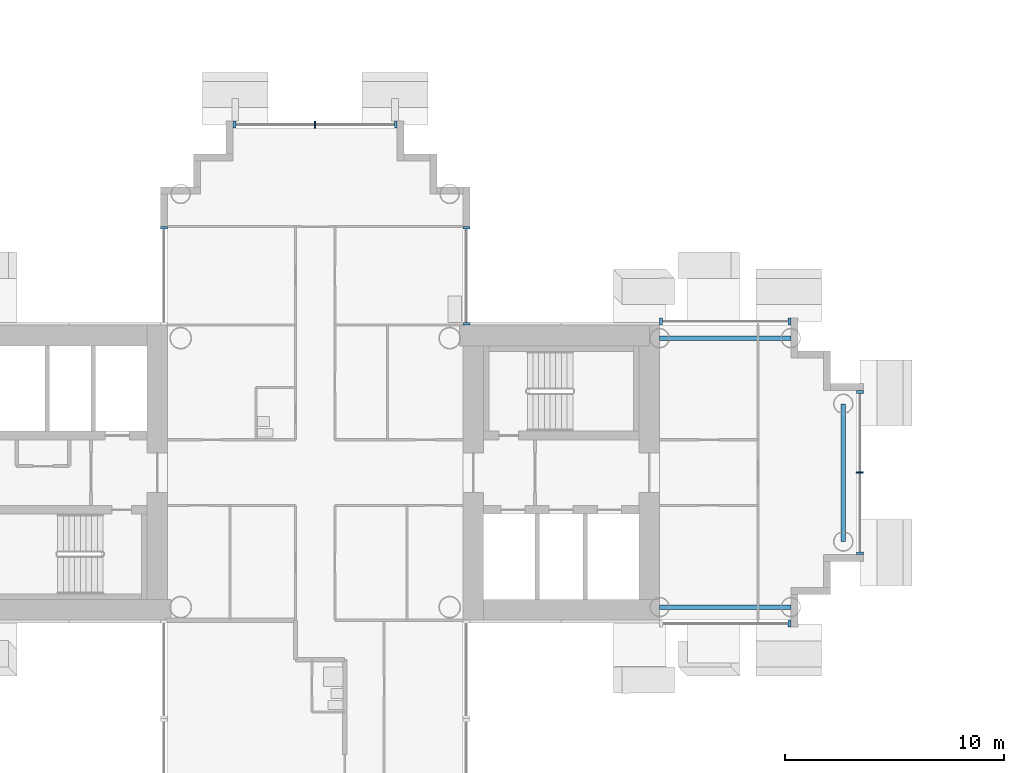
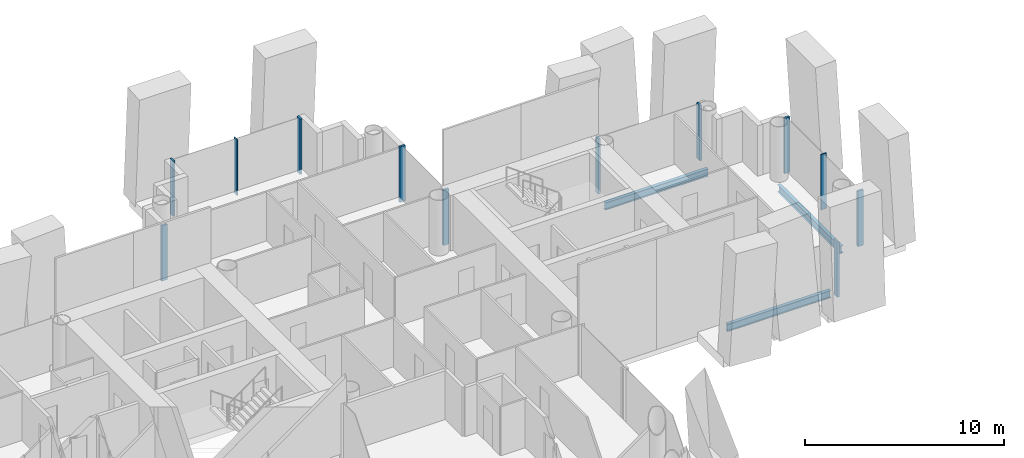
# One storey, part 4 of 21: 12 members, 3 beams, 6 elements without a shape of their own.
"""IFC4 building model written with IfcOpenShell, lengths in metres."""

from ifc_helpers import new_model, si_unit, direction, frame, origin, origin_2d, place, context, subcontext, project, spatial, rectangle, i_section, extrude, material, layer, layer_set, material_profile, profile_set, type_object, element, aggregate, save


model = new_model("IFC4")

# Units and contexts
model_context = context("Model", 3, precision=1e-05, world=origin(), true_north=direction((0.0, 1.0)))
body_context = subcontext(model_context, "Body", "Model", "MODEL_VIEW")
ifc_project = project(units=[si_unit("LENGTHUNIT", "METRE"), si_unit("AREAUNIT", "SQUARE_METRE"), si_unit("VOLUMEUNIT", "CUBIC_METRE"), si_unit("PLANEANGLEUNIT", "RADIAN"), si_unit("MASSUNIT", "GRAM", prefix="KILO")], contexts=[model_context])

# Site, building, storey
site_placement = place(None, origin())
site = spatial("IfcSite", under=ifc_project, at=site_placement, CompositionType="ELEMENT")
building_placement = place(site_placement, origin())
building = spatial("IfcBuilding", under=site, at=building_placement, Name="Ipe Terrace Towers", CompositionType="ELEMENT")
storey_placement = place(building_placement, frame((0.0, 0.0, 80.0)))
storey = spatial("IfcBuildingStorey", under=building, at=storey_placement, Name="L21", CompositionType="ELEMENT", Elevation=80.0)

# Beams
ifc_material_1 = material(Name="Steel S355", Category="steel")
ifc_material_profile_1 = material_profile(ifc_material_1, i_section(OverallWidth=0.199951171875, OverallDepth=0.449951171875, WebThickness=0.009033203125, FlangeThickness=0.013916015625, at=origin_2d()), Name="H-450x200x9x14")
ifc_profile_set_1 = profile_set([ifc_material_profile_1], Name="Steel S355")
beam_type = type_object("IfcBeamType", Name="H08 EDGE BEAM H-450x200x9x14", PredefinedType="BEAM", material=ifc_profile_set_1)
for number, where, z_axis, x_axis, name in (
    (1, (-20.25, -6.14990234375, -0.625), (1.0, 0.0, 0.0), (0.0, 1.0, 0.0), "Edge beam T1-EB-A01-A03"),
    (2, (-20.25, 6.14990234375, -0.625), (1.0, 0.0, 0.0), (0.0, 1.0, 0.0), "Edge beam T1-EB-A02-A04"),
):
    element("IfcBeam", number, at=place(storey_placement, frame(where, z_axis=z_axis, x_axis=x_axis)), inside=storey, type_object=beam_type, Name=name, PredefinedType="BEAM", context=body_context, shape_type="SweptSolid", body=[
        extrude(i_section(OverallWidth=0.199951171875, OverallDepth=0.449951171875, WebThickness=0.009033203125, FlangeThickness=0.013916015625, at=origin_2d()), origin(), (0.0, 0.0, 1.0), 6.0),
    ])
beam_placement = place(storey_placement, frame((-11.85009765625, -3.14990234375, -0.625), z_axis=(0.0, 1.0, 0.0), x_axis=(-1.0, 0.0, 0.0)))
element("IfcBeam", 3, at=beam_placement, inside=storey, type_object=beam_type, Name="Edge beam T1-EB-A05-A06", PredefinedType="BEAM", context=body_context, shape_type="SweptSolid", body=[
    extrude(i_section(OverallWidth=0.199951171875, OverallDepth=0.449951171875, WebThickness=0.009033203125, FlangeThickness=0.013916015625, at=origin_2d()), origin(), (0.0, 0.0, 1.0), 6.2998046875),
])

# Curtain wall, member
ifc_material_2 = material(Name="Aluminium alloy 6063-T6", Category="aluminium")
ifc_layer = layer(ifc_material_2, 0.320068359375)
ifc_layer_set = layer_set([ifc_layer], Name="TOWER UNITISED CURTAIN WALL")
curtain_wall_type = type_object("IfcCurtainWallType", Name="TOWER UNITISED CURTAIN WALL", PredefinedType="NOTDEFINED", material=ifc_layer_set)
curtain_wall_1_placement = place(storey_placement, origin())
curtain_wall_1 = element("IfcCurtainWall", 4, at=curtain_wall_1_placement, inside=storey, type_object=curtain_wall_type, Name="T1-CW-L21-20b curtain wall", PredefinedType="NOTDEFINED")
ifc_material_3 = material(Name="Aluminium alloy 6063-T6", Category="aluminium")
ifc_material_profile_2 = material_profile(ifc_material_3, rectangle(XDim=0.320068359375, YDim=0.1201171875, at=origin_2d()), Name="TOWER UNITISED CORNER MULLION 320 x 120")
ifc_profile_set_2 = profile_set([ifc_material_profile_2], Name="Aluminium alloy 6063-T6")
member_type_1 = type_object("IfcMemberType", Name="TOWER UNITISED CORNER MULLION 320 x 120", PredefinedType="MULLION", material=ifc_profile_set_2)
member_1_placement = place(storey_placement, frame((-14.31005859375, -6.909912109375, -0.300048828125), z_axis=(0.0, 0.0, 1.0), x_axis=(0.0, -1.0, 0.0)))
member_1 = element("IfcMember", 5, at=member_1_placement, type_object=member_type_1, Name="T1-CW-L21-20b mullion 2", PredefinedType="MULLION", context=body_context, shape_type="SweptSolid", body=[
    extrude(rectangle(XDim=0.320068359375, YDim=0.1201171875, at=origin_2d()), origin(), (0.0, 0.0, 1.0), 3.400146484375),
])
aggregate(curtain_wall_1, [member_1])

# Curtain wall, members
curtain_wall_2_placement = place(storey_placement, origin())
curtain_wall_2 = element("IfcCurtainWall", 6, at=curtain_wall_2_placement, inside=storey, type_object=curtain_wall_type, Name="T1-CW-L21-25a curtain wall", PredefinedType="NOTDEFINED")
member_2_placement = place(storey_placement, frame((-11.090087890625, -3.68994140625, -0.300048828125), z_axis=(0.0, 0.0, 1.0), x_axis=(1.0, 0.0, 0.0)))
member_2 = element("IfcMember", 7, at=member_2_placement, type_object=member_type_1, Name="T1-CW-L21-25a mullion 1", PredefinedType="MULLION", context=body_context, shape_type="SweptSolid", body=[
    extrude(rectangle(XDim=0.320068359375, YDim=0.1201171875, at=origin_2d()), origin(), (0.0, 0.0, 1.0), 3.400146484375),
])
member_3_placement = place(storey_placement, frame((-11.090087890625, 3.68994140625, -0.300048828125), z_axis=(0.0, 0.0, 1.0), x_axis=(1.0, 0.0, 0.0)))
member_3 = element("IfcMember", 8, at=member_3_placement, type_object=member_type_1, Name="T1-CW-L21-25a mullion 3", PredefinedType="MULLION", context=body_context, shape_type="SweptSolid", body=[
    extrude(rectangle(XDim=0.320068359375, YDim=0.1201171875, at=origin_2d()), origin(), (0.0, 0.0, 1.0), 3.400146484375),
])

curtain_wall_3_placement = place(storey_placement, origin())
curtain_wall_3 = element("IfcCurtainWall", 9, at=curtain_wall_3_placement, inside=storey, type_object=curtain_wall_type, Name="T1-CW-L21-30a curtain wall", PredefinedType="NOTDEFINED")
member_4_placement = place(storey_placement, frame((-14.31005859375, 6.909912109375, -0.300048828125), z_axis=(0.0, 0.0, 1.0), x_axis=(0.0, 1.0, 0.0)))
member_4 = element("IfcMember", 10, at=member_4_placement, type_object=member_type_1, Name="T1-CW-L21-30a mullion 1", PredefinedType="MULLION", context=body_context, shape_type="SweptSolid", body=[
    extrude(rectangle(XDim=0.320068359375, YDim=0.1201171875, at=origin_2d()), origin(), (0.0, 0.0, 1.0), 3.400146484375),
])
member_5_placement = place(storey_placement, frame((-20.18896484375, 6.909912109375, -0.300048828125), z_axis=(0.0, 0.0, 1.0), x_axis=(0.0, 1.0, 0.0)))
member_5 = element("IfcMember", 11, at=member_5_placement, type_object=member_type_1, Name="T1-CW-L21-30a mullion 2", PredefinedType="MULLION", context=body_context, shape_type="SweptSolid", body=[
    extrude(rectangle(XDim=0.320068359375, YDim=0.1201171875, at=origin_2d()), origin(), (0.0, 0.0, 1.0), 3.400146484375),
])
aggregate(curtain_wall_3, [member_4, member_5])

curtain_wall_4_placement = place(storey_placement, origin())
curtain_wall_4 = element("IfcCurtainWall", 12, at=curtain_wall_4_placement, inside=storey, type_object=curtain_wall_type, Name="T1-CW-L21-32a curtain wall", PredefinedType="NOTDEFINED")
member_6_placement = place(storey_placement, frame((-29.090087890625, 6.81005859375, -0.300048828125), z_axis=(0.0, 0.0, 1.0), x_axis=(1.0, 0.0, 0.0)))
member_6 = element("IfcMember", 13, at=member_6_placement, type_object=member_type_1, Name="T1-CW-L21-32a mullion 1", PredefinedType="MULLION", context=body_context, shape_type="SweptSolid", body=[
    extrude(rectangle(XDim=0.320068359375, YDim=0.1201171875, at=origin_2d()), origin(), (0.0, 0.0, 1.0), 3.400146484375),
])
member_7_placement = place(storey_placement, frame((-29.090087890625, 11.18994140625, -0.300048828125), z_axis=(0.0, 0.0, 1.0), x_axis=(1.0, 0.0, 0.0)))
member_7 = element("IfcMember", 14, at=member_7_placement, type_object=member_type_1, Name="T1-CW-L21-32a mullion 2", PredefinedType="MULLION", context=body_context, shape_type="SweptSolid", body=[
    extrude(rectangle(XDim=0.320068359375, YDim=0.1201171875, at=origin_2d()), origin(), (0.0, 0.0, 1.0), 3.400146484375),
])
aggregate(curtain_wall_4, [member_6, member_7])

curtain_wall_5_placement = place(storey_placement, origin())
curtain_wall_5 = element("IfcCurtainWall", 15, at=curtain_wall_5_placement, inside=storey, type_object=curtain_wall_type, Name="T1-CW-L21-38a curtain wall", PredefinedType="NOTDEFINED")
member_8_placement = place(storey_placement, frame((-32.31005859375, 15.909912109375, -0.300048828125), z_axis=(0.0, 0.0, 1.0), x_axis=(0.0, 1.0, 0.0)))
member_8 = element("IfcMember", 16, at=member_8_placement, type_object=member_type_1, Name="T1-CW-L21-38a mullion 1", PredefinedType="MULLION", context=body_context, shape_type="SweptSolid", body=[
    extrude(rectangle(XDim=0.320068359375, YDim=0.1201171875, at=origin_2d()), origin(), (0.0, 0.0, 1.0), 3.400146484375),
])
member_9_placement = place(storey_placement, frame((-39.68994140625, 15.909912109375, -0.300048828125), z_axis=(0.0, 0.0, 1.0), x_axis=(0.0, 1.0, 0.0)))
member_9 = element("IfcMember", 17, at=member_9_placement, type_object=member_type_1, Name="T1-CW-L21-38a mullion 3", PredefinedType="MULLION", context=body_context, shape_type="SweptSolid", body=[
    extrude(rectangle(XDim=0.320068359375, YDim=0.1201171875, at=origin_2d()), origin(), (0.0, 0.0, 1.0), 3.400146484375),
])

# Curtain wall, member
curtain_wall_6_placement = place(storey_placement, origin())
curtain_wall_6 = element("IfcCurtainWall", 18, at=curtain_wall_6_placement, inside=storey, type_object=curtain_wall_type, Name="T1-CW-L21-44a curtain wall", PredefinedType="NOTDEFINED")
member_10_placement = place(storey_placement, frame((-42.909912109375, 11.18994140625, -0.300048828125), z_axis=(0.0, 0.0, 1.0), x_axis=(-1.0, 0.0, 0.0)))
member_10 = element("IfcMember", 19, at=member_10_placement, type_object=member_type_1, Name="T1-CW-L21-44a mullion 1", PredefinedType="MULLION", context=body_context, shape_type="SweptSolid", body=[
    extrude(rectangle(XDim=0.320068359375, YDim=0.1201171875, at=origin_2d()), origin(), (0.0, 0.0, 1.0), 3.400146484375),
])
aggregate(curtain_wall_6, [member_10])

# Member
ifc_material_4 = material(Name="Aluminium alloy 6063-T6", Category="aluminium")
ifc_material_profile_3 = material_profile(ifc_material_4, rectangle(XDim=0.320068359375, YDim=0.06494140625, at=origin_2d()), Name="TOWER UNITISED MULLION 320 x 65")
ifc_profile_set_3 = profile_set([ifc_material_profile_3], Name="Aluminium alloy 6063-T6")
member_type_2 = type_object("IfcMemberType", Name="TOWER UNITISED MULLION 320 x 65", PredefinedType="MULLION", material=ifc_profile_set_3)
member_11_placement = place(storey_placement, frame((-11.090087890625, 0.0, -0.300048828125), z_axis=(0.0, 0.0, 1.0), x_axis=(1.0, 0.0, 0.0)))
member_11 = element("IfcMember", 20, at=member_11_placement, type_object=member_type_2, Name="T1-CW-L21-25a mullion 2", PredefinedType="MULLION", context=body_context, shape_type="SweptSolid", body=[
    extrude(rectangle(XDim=0.320068359375, YDim=0.06494140625, at=origin_2d()), origin(), (0.0, 0.0, 1.0), 3.400146484375),
])

aggregate(curtain_wall_2, [member_2, member_11, member_3])

member_12_placement = place(storey_placement, frame((-36.0, 15.909912109375, -0.300048828125), z_axis=(0.0, 0.0, 1.0), x_axis=(0.0, 1.0, 0.0)))
member_12 = element("IfcMember", 21, at=member_12_placement, type_object=member_type_2, Name="T1-CW-L21-38a mullion 2", PredefinedType="MULLION", context=body_context, shape_type="SweptSolid", body=[
    extrude(rectangle(XDim=0.320068359375, YDim=0.06494140625, at=origin_2d()), origin(), (0.0, 0.0, 1.0), 3.400146484375),
])

aggregate(curtain_wall_5, [member_8, member_12, member_9])

save(model, "model.ifc")
